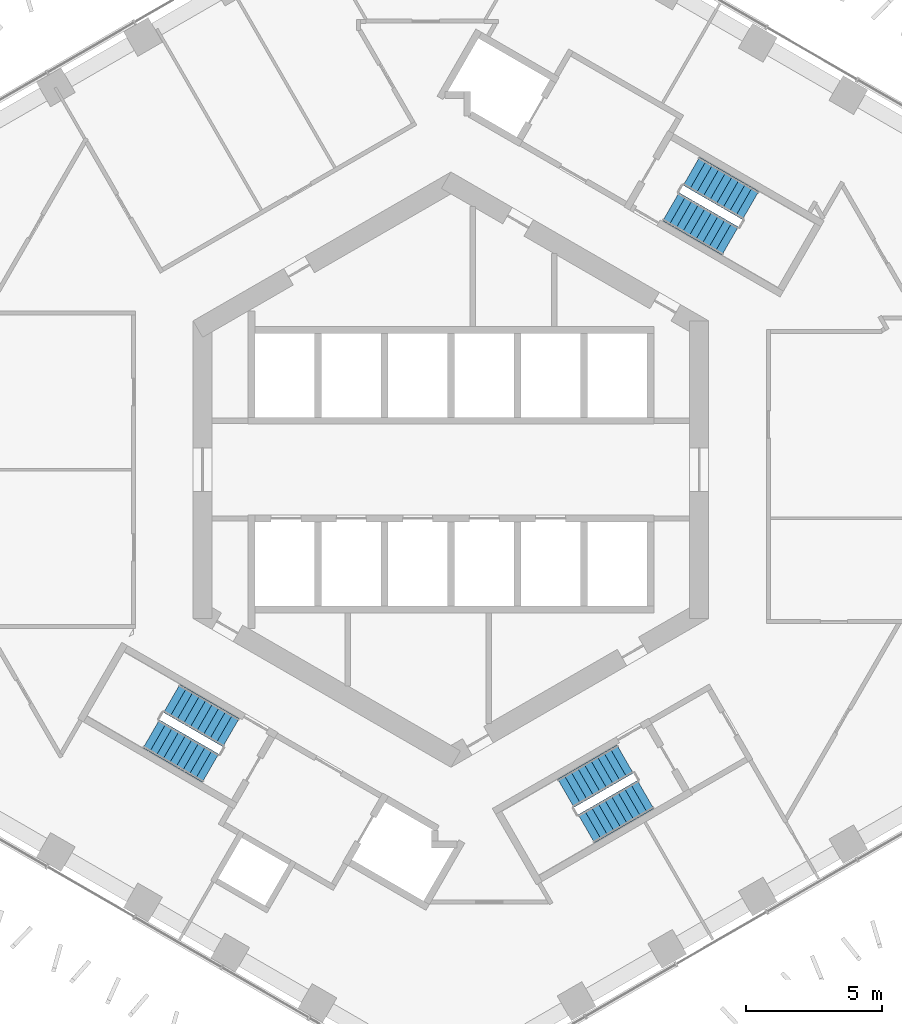
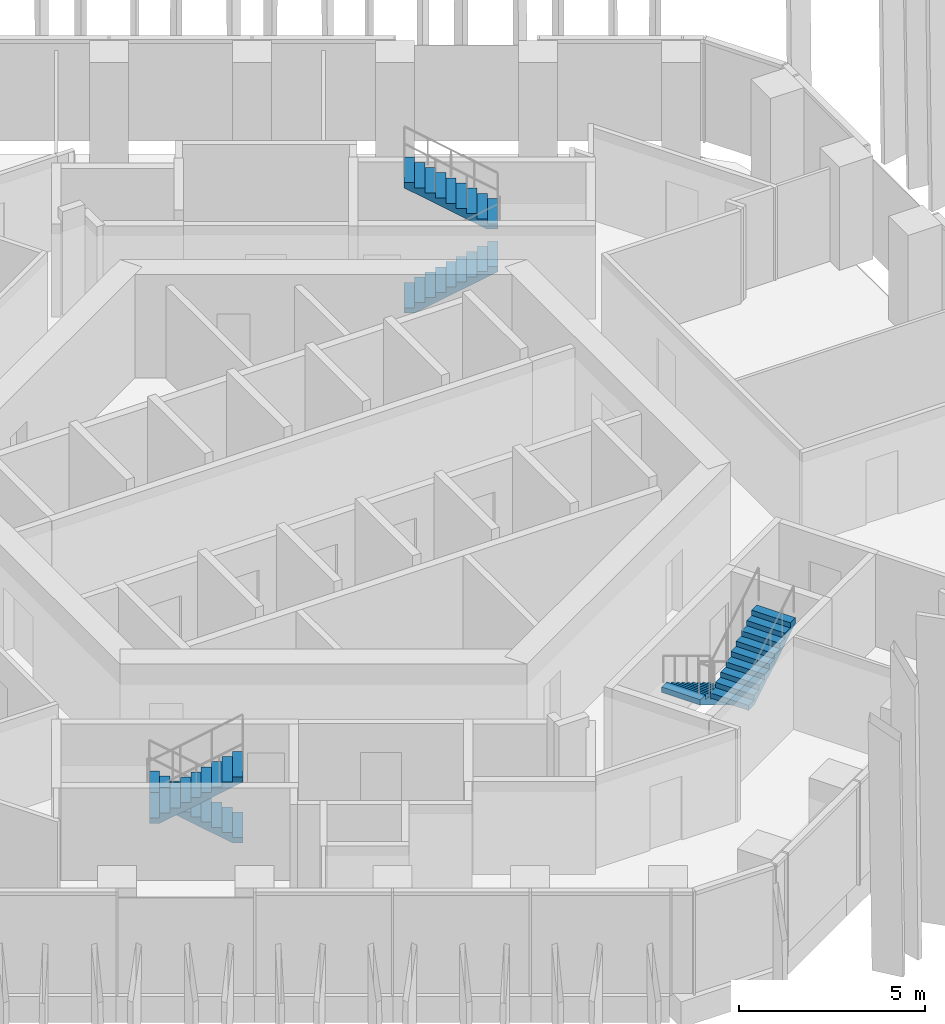
# One storey, part 15 of 19: 6 stair flights, 3 elements without a shape of their own.
"""IFC4 building model written with IfcOpenShell, lengths in metres."""

import ifcopenshell
import ifcopenshell.guid

model = None  # the IFC model being written
_history = None  # IfcOwnerHistory: only IFC2X3 demands one
_inside = {}  # id of a spatial element -> (the spatial element, [elements in it])
_under = {}  # id of a project, library or spatial element -> (it, [spatial elements below it])
_declared = {}  # id of a project -> (the project, [libraries it declares])
_typed = {}  # id of a type object -> (the type object, [elements of that type])
_made_of = {}  # id of a material, layer set ... -> (it, [elements and type objects made of it])


def new_model(schema):
    """Start an empty IFC model of exactly this schema.

    Asked for "IFC4X3", IfcOpenShell would pick the latest addendum, in which some entities
    have other attributes; the version numbers below select the first issue.
    IFC2X3 requires an IfcOwnerHistory on every rooted entity: one is made here for all.
    """
    global model, _history
    if schema == "IFC4X3":
        model = ifcopenshell.file(schema_version=(4, 3, 0, 0))
    else:
        model = ifcopenshell.file(schema=schema)
    _inside.clear()
    _under.clear()
    _declared.clear()
    _typed.clear()
    _made_of.clear()
    _history = None
    if model.schema == "IFC2X3":
        org = make("IfcOrganization", Name="unknown")
        user = make(
            "IfcPersonAndOrganization",
            ThePerson=make("IfcPerson", FamilyName="unknown"),
            TheOrganization=org,
        )
        app = make(
            "IfcApplication",
            ApplicationDeveloper=org,
            Version="unknown",
            ApplicationFullName="unknown",
            ApplicationIdentifier="unknown",
        )
        _history = make(
            "IfcOwnerHistory",
            OwningUser=user,
            OwningApplication=app,
            ChangeAction="ADDED",
            CreationDate=0,
        )
    return model


def make(cls, **values):
    """One entity of the class cls with the attributes given. An attribute that is None is left unset."""
    return model.create_entity(
        cls, **{name: value for name, value in values.items() if value is not None}
    )


def rooted(cls, **values):
    """An entity with a GlobalId (a new one), such as an element, a storey or a relation."""
    return make(cls, GlobalId=ifcopenshell.guid.new(), OwnerHistory=_history, **values)


def si_unit(unit_type, name, prefix=None):
    """IfcSIUnit, for example si_unit("LENGTHUNIT", "METRE", prefix="MILLI")."""
    return make("IfcSIUnit", UnitType=unit_type, Prefix=prefix, Name=name)


def assignment(units):
    """IfcUnitAssignment: the units of a project."""
    return None if units is None else make("IfcUnitAssignment", Units=units)


def point(xyz):
    """IfcCartesianPoint."""
    return None if xyz is None else make("IfcCartesianPoint", Coordinates=xyz)


def direction(xyz):
    """IfcDirection."""
    return None if xyz is None else make("IfcDirection", DirectionRatios=xyz)


def frame(location, z_axis=None, x_axis=None):
    """IfcAxis2Placement3D, a coordinate frame: its origin and axes. An axis left out is left unset."""
    return make(
        "IfcAxis2Placement3D",
        Location=point(location),
        Axis=direction(z_axis),
        RefDirection=direction(x_axis),
    )


def origin():
    """The frame at (0, 0, 0) with its axes left unset."""
    return frame((0.0, 0.0, 0.0))


def place(relative_to, where):
    """IfcLocalPlacement: puts the frame where relative to a parent placement (None: the world)."""
    return make(
        "IfcLocalPlacement", PlacementRelTo=relative_to, RelativePlacement=where
    )


def context(
    kind, dimensions, precision=None, world=None, true_north=None, identifier=None
):
    """IfcGeometricRepresentationContext, for example the 3D "Model" context."""
    return make(
        "IfcGeometricRepresentationContext",
        ContextIdentifier=identifier,
        ContextType=kind,
        CoordinateSpaceDimension=dimensions,
        Precision=precision,
        WorldCoordinateSystem=world,
        TrueNorth=true_north,
    )


def subcontext(parent, identifier, kind, view, scale=None):
    """IfcGeometricRepresentationSubContext, for example "Body" below "Model"."""
    return make(
        "IfcGeometricRepresentationSubContext",
        ContextIdentifier=identifier,
        ContextType=kind,
        ParentContext=parent,
        TargetScale=scale,
        TargetView=view,
    )


def project(units=None, contexts=None):
    """IfcProject with its units and contexts."""
    return rooted(
        "IfcProject",
        Name="project",
        RepresentationContexts=contexts,
        UnitsInContext=assignment(units),
    )


def spatial(cls, under=None, at=None, **own):
    """A site, building, storey or space (cls), placed at a placement, below another one or the project."""
    s = rooted(cls, ObjectPlacement=at, **own)
    if under is not None:
        _under.setdefault(under.id(), (under, []))[1].append(s)
    return s


def point_list(points):
    """IfcCartesianPointList2D or 3D."""
    cls = (
        "IfcCartesianPointList2D" if len(points[0]) == 2 else "IfcCartesianPointList3D"
    )
    return make(cls, CoordList=points)


def triangles(points, corners, closed=None, point_numbers=None):
    """IfcTriangulatedFaceSet: each triangle names its three corners, points numbered from 1."""
    return make(
        "IfcTriangulatedFaceSet",
        Coordinates=point_list(points),
        Closed=closed,
        CoordIndex=corners,
        PnIndex=point_numbers,
    )


def shape(context_of_items, identifier, shape_type, items):
    """IfcShapeRepresentation: the items that make up one representation, for example the "Body"."""
    return make(
        "IfcShapeRepresentation",
        ContextOfItems=context_of_items,
        RepresentationIdentifier=identifier,
        RepresentationType=shape_type,
        Items=items,
    )


def material(Name=None, Category=None):
    """IfcMaterial."""
    return make("IfcMaterial", Name=Name, Category=Category)


def made_of(thing, what):
    """Note that an element or type object is made of a material, layer set ...; save() writes the relation."""
    if what is not None:
        _made_of.setdefault(what.id(), (what, []))[1].append(thing)
    return thing


def type_object(cls, material=None, **own):
    """A type object (cls), such as IfcWallType, which elements share."""
    return made_of(rooted(cls, **own), material)


def element(
    cls,
    number,
    at=None,
    inside=None,
    cuts=None,
    type_object=None,
    material=None,
    context=None,
    identifier="Body",
    shape_type=None,
    held_by="IfcProductDefinitionShape",
    body=None,
    shapes=None,
    **own,
):
    """One element of the class cls, such as IfcWall. Its Tag is "e" and its number.

    at: its placement. inside: the storey or other place that contains it. cuts: it is an
    opening in that element (IfcRelVoidsElement). A single representation is given by context,
    identifier, shape_type and body (its items); several are given by shapes. held_by: the class
    of the entity that holds the representations. save() writes the other relations.
    """
    e = rooted(cls, Tag="e%d" % number, ObjectPlacement=at, **own)
    if body is not None:
        shapes = [shape(context, identifier, shape_type, body)]
    if shapes is not None:
        e.Representation = make(held_by, Representations=shapes)
    if inside is not None:
        _inside.setdefault(inside.id(), (inside, []))[1].append(e)
    if cuts is not None:
        rooted(
            "IfcRelVoidsElement", RelatingBuildingElement=cuts, RelatedOpeningElement=e
        )
    if type_object is not None:
        _typed.setdefault(type_object.id(), (type_object, []))[1].append(e)
    return made_of(e, material)


def aggregate(whole, parts):
    """IfcRelAggregates: a whole, such as a stair, and the parts it consists of."""
    return rooted("IfcRelAggregates", RelatingObject=whole, RelatedObjects=parts)


def save(model, path):
    """Write the relations noted so far, then the file.

    IfcRelAggregates (storeys below a building ...), IfcRelContainedInSpatialStructure (elements
    in a storey), IfcRelDefinesByType, IfcRelAssociatesMaterial and IfcRelDeclares: one each for
    every whole, place, type object, material and project.
    """
    for whole, parts in _under.values():
        aggregate(whole, parts)
    for where, things in _inside.values():
        rooted(
            "IfcRelContainedInSpatialStructure",
            RelatedElements=things,
            RelatingStructure=where,
        )
    for kind, things in _typed.values():
        rooted("IfcRelDefinesByType", RelatedObjects=things, RelatingType=kind)
    for what, things in _made_of.values():
        rooted("IfcRelAssociatesMaterial", RelatedObjects=things, RelatingMaterial=what)
    for by, libraries in _declared.values():
        rooted("IfcRelDeclares", RelatingContext=by, RelatedDefinitions=libraries)
    model.write(path)


model = new_model("IFC4")

# Units and contexts
model_context = context("Model", 3, precision=1e-05, world=origin(), true_north=direction((0.0, 1.0)))
body_context = subcontext(model_context, "Body", "Model", "MODEL_VIEW")
ifc_project = project(units=[si_unit("LENGTHUNIT", "METRE"), si_unit("AREAUNIT", "SQUARE_METRE"), si_unit("VOLUMEUNIT", "CUBIC_METRE"), si_unit("PLANEANGLEUNIT", "RADIAN"), si_unit("MASSUNIT", "GRAM", prefix="KILO")], contexts=[model_context])

# Site, building, storey
site_placement = place(None, origin())
site = spatial("IfcSite", under=ifc_project, at=site_placement, CompositionType="ELEMENT")
building_placement = place(site_placement, origin())
building = spatial("IfcBuilding", under=site, at=building_placement, Name="Ayvan Gate Tower", CompositionType="ELEMENT")
storey_placement = place(building_placement, frame((0.0, 0.0, 93.300048828125)))
storey = spatial("IfcBuildingStorey", under=building, at=storey_placement, Name="L24", CompositionType="ELEMENT", Elevation=93.300048828125)

# Stair, stair flights
ifc_material = material(Name="Concrete C40/50", Category="concrete")
stair_type = type_object("IfcStairType", Name="ST-EXIT", PredefinedType="HALF_TURN_STAIR", material=ifc_material)
stair_1_placement = place(storey_placement, origin())
stair_1 = element("IfcStair", 1, at=stair_1_placement, inside=storey, type_object=stair_type, Name="L24 Exit Stair S1", PredefinedType="HALF_TURN_STAIR")
stair_flight_type = type_object("IfcStairFlightType", Name="SFL-EXIT", PredefinedType="STRAIGHT", material=ifc_material)
stair_flight_1_placement = place(storey_placement, frame((8.106201171875, 9.690185546875, 0.0), z_axis=(0.0, 0.0, 1.0), x_axis=(0.866025403784, -0.5, 0.0)))
stair_flight_1 = element("IfcStairFlight", 2, at=stair_flight_1_placement, type_object=stair_flight_type, Name="STS1 flight 1", NumberOfRisers=10, NumberOfTreads=9, PredefinedType="STRAIGHT", RiserHeight=0.17, TreadLength=0.28, context=body_context, shape_type="Tessellation", body=[
    triangles([(0.288841, -0.599976, 0.0), (2.5205, -0.599976, 1.354936), (2.5205, -0.599976, 1.53), (2.24, -0.599976, 1.53), (2.24, -0.599976, 1.36), (1.96, -0.599976, 1.36), (1.96, -0.599976, 1.19), (1.68, -0.599976, 1.19), (1.68, -0.599976, 1.02), (1.4, -0.599976, 1.02), (1.4, -0.599976, 0.85), (1.12, -0.599976, 0.85), (1.12, -0.599976, 0.68), (0.84, -0.599976, 0.68), (0.84, -0.599976, 0.51), (0.56, -0.599976, 0.51), (0.56, -0.599976, 0.34), (0.28, -0.599976, 0.34), (0.28, -0.599976, 0.17), (-0.0005, -0.599976, 0.17), (-0.0005, -0.599976, 0.0), (0.288841, 0.0, 0.0), (2.5205, 0.0, 1.354936), (2.5205, 0.0, 1.53), (2.24, 0.0, 1.53), (2.24, 0.0, 1.36), (1.96, 0.0, 1.36), (1.96, 0.0, 1.19), (1.68, 0.0, 1.19), (1.68, 0.0, 1.02), (1.4, 0.0, 1.02), (1.4, 0.0, 0.85), (1.12, 0.0, 0.85), (1.12, 0.0, 0.68), (0.84, 0.0, 0.68), (0.84, 0.0, 0.51), (0.56, 0.0, 0.51), (0.56, 0.0, 0.34), (0.28, 0.0, 0.34), (0.28, 0.0, 0.17), (-0.0005, 0.0, 0.17), (-0.0005, 0.0, 0.0), (0.288841, 0.599976, 0.0), (2.5205, 0.599976, 1.354936), (2.5205, 0.599976, 1.53), (2.24, 0.599976, 1.53), (2.24, 0.599976, 1.36), (1.96, 0.599976, 1.36), (1.96, 0.599976, 1.19), (1.68, 0.599976, 1.19), (1.68, 0.599976, 1.02), (1.4, 0.599976, 1.02), (1.4, 0.599976, 0.85), (1.12, 0.599976, 0.85), (1.12, 0.599976, 0.68), (0.84, 0.599976, 0.68), (0.84, 0.599976, 0.51), (0.56, 0.599976, 0.51), (0.56, 0.599976, 0.34), (0.28, 0.599976, 0.34), (0.28, 0.599976, 0.17), (-0.0005, 0.599976, 0.17), (-0.0005, 0.599976, 0.0)], [[21, 1, 2], [63, 44, 43], [2, 3, 4], [44, 46, 45], [2, 4, 5], [44, 47, 46], [2, 5, 6], [44, 48, 47], [2, 6, 7], [44, 49, 48], [7, 8, 9], [49, 51, 50], [2, 7, 9], [44, 51, 49], [9, 10, 11], [51, 53, 52], [2, 9, 11], [44, 53, 51], [11, 12, 13], [53, 55, 54], [2, 11, 13], [44, 55, 53], [13, 14, 15], [55, 57, 56], [2, 13, 15], [44, 57, 55], [15, 16, 17], [57, 59, 58], [2, 15, 17], [44, 59, 57], [17, 18, 19], [59, 61, 60], [2, 17, 19], [44, 61, 59], [21, 2, 19], [63, 61, 44], [19, 20, 21], [61, 63, 62], [1, 22, 23], [1, 23, 2], [43, 23, 22], [43, 44, 23], [2, 23, 24], [2, 24, 3], [44, 24, 23], [44, 45, 24], [3, 24, 25], [3, 25, 4], [45, 25, 24], [45, 46, 25], [4, 25, 26], [4, 26, 5], [46, 26, 25], [46, 47, 26], [5, 26, 27], [5, 27, 6], [47, 27, 26], [47, 48, 27], [6, 27, 28], [6, 28, 7], [48, 28, 27], [48, 49, 28], [7, 28, 29], [7, 29, 8], [49, 29, 28], [49, 50, 29], [8, 29, 30], [8, 30, 9], [50, 30, 29], [50, 51, 30], [9, 30, 31], [9, 31, 10], [51, 31, 30], [51, 52, 31], [10, 31, 32], [10, 32, 11], [52, 32, 31], [52, 53, 32], [11, 32, 33], [11, 33, 12], [53, 33, 32], [53, 54, 33], [12, 33, 34], [12, 34, 13], [54, 34, 33], [54, 55, 34], [13, 34, 35], [13, 35, 14], [55, 35, 34], [55, 56, 35], [14, 35, 36], [14, 36, 15], [56, 36, 35], [56, 57, 36], [15, 36, 37], [15, 37, 16], [57, 37, 36], [57, 58, 37], [16, 37, 38], [16, 38, 17], [58, 38, 37], [58, 59, 38], [17, 38, 39], [17, 39, 18], [59, 39, 38], [59, 60, 39], [18, 39, 40], [18, 40, 19], [60, 40, 39], [60, 61, 40], [19, 40, 41], [19, 41, 20], [61, 41, 40], [61, 62, 41], [20, 41, 42], [20, 42, 21], [62, 42, 41], [62, 63, 42], [21, 42, 22], [21, 22, 1], [63, 22, 42], [63, 43, 22]], closed=True),
])
stair_flight_2_placement = place(storey_placement, frame((11.04345703125, 9.73779296875, 1.699951171875), z_axis=(0.0, 0.0, 1.0), x_axis=(-0.866025403784, 0.5, 0.0)))
stair_flight_2 = element("IfcStairFlight", 3, at=stair_flight_2_placement, type_object=stair_flight_type, Name="STS1 flight 2", NumberOfRisers=10, NumberOfTreads=9, PredefinedType="STRAIGHT", RiserHeight=0.17, TreadLength=0.28, context=body_context, shape_type="Tessellation", body=[
    triangles([(0.288841, -0.599976, 0.0), (2.5205, -0.599976, 1.354936), (2.5205, -0.599976, 1.53), (2.24, -0.599976, 1.53), (2.24, -0.599976, 1.36), (1.96, -0.599976, 1.36), (1.96, -0.599976, 1.19), (1.68, -0.599976, 1.19), (1.68, -0.599976, 1.02), (1.4, -0.599976, 1.02), (1.4, -0.599976, 0.85), (1.12, -0.599976, 0.85), (1.12, -0.599976, 0.68), (0.84, -0.599976, 0.68), (0.84, -0.599976, 0.51), (0.56, -0.599976, 0.51), (0.56, -0.599976, 0.34), (0.28, -0.599976, 0.34), (0.28, -0.599976, 0.17), (-0.0005, -0.599976, 0.17), (-0.0005, -0.599976, 0.0), (0.288841, 0.0, 0.0), (2.5205, 0.0, 1.354936), (2.5205, 0.0, 1.53), (2.24, 0.0, 1.53), (2.24, 0.0, 1.36), (1.96, 0.0, 1.36), (1.96, 0.0, 1.19), (1.68, 0.0, 1.19), (1.68, 0.0, 1.02), (1.4, 0.0, 1.02), (1.4, 0.0, 0.85), (1.12, 0.0, 0.85), (1.12, 0.0, 0.68), (0.84, 0.0, 0.68), (0.84, 0.0, 0.51), (0.56, 0.0, 0.51), (0.56, 0.0, 0.34), (0.28, 0.0, 0.34), (0.28, 0.0, 0.17), (-0.0005, 0.0, 0.17), (-0.0005, 0.0, 0.0), (0.288841, 0.599976, 0.0), (2.5205, 0.599976, 1.354936), (2.5205, 0.599976, 1.53), (2.24, 0.599976, 1.53), (2.24, 0.599976, 1.36), (1.96, 0.599976, 1.36), (1.96, 0.599976, 1.19), (1.68, 0.599976, 1.19), (1.68, 0.599976, 1.02), (1.4, 0.599976, 1.02), (1.4, 0.599976, 0.85), (1.12, 0.599976, 0.85), (1.12, 0.599976, 0.68), (0.84, 0.599976, 0.68), (0.84, 0.599976, 0.51), (0.56, 0.599976, 0.51), (0.56, 0.599976, 0.34), (0.28, 0.599976, 0.34), (0.28, 0.599976, 0.17), (-0.0005, 0.599976, 0.17), (-0.0005, 0.599976, 0.0)], [[21, 1, 2], [63, 44, 43], [2, 3, 4], [44, 46, 45], [2, 4, 5], [44, 47, 46], [2, 5, 6], [44, 48, 47], [2, 6, 7], [44, 49, 48], [7, 8, 9], [49, 51, 50], [2, 7, 9], [44, 51, 49], [9, 10, 11], [51, 53, 52], [2, 9, 11], [44, 53, 51], [11, 12, 13], [53, 55, 54], [2, 11, 13], [44, 55, 53], [13, 14, 15], [55, 57, 56], [2, 13, 15], [44, 57, 55], [15, 16, 17], [57, 59, 58], [2, 15, 17], [44, 59, 57], [17, 18, 19], [59, 61, 60], [2, 17, 19], [44, 61, 59], [21, 2, 19], [63, 61, 44], [19, 20, 21], [61, 63, 62], [1, 22, 23], [1, 23, 2], [43, 23, 22], [43, 44, 23], [2, 23, 24], [2, 24, 3], [44, 24, 23], [44, 45, 24], [3, 24, 25], [3, 25, 4], [45, 25, 24], [45, 46, 25], [4, 25, 26], [4, 26, 5], [46, 26, 25], [46, 47, 26], [5, 26, 27], [5, 27, 6], [47, 27, 26], [47, 48, 27], [6, 27, 28], [6, 28, 7], [48, 28, 27], [48, 49, 28], [7, 28, 29], [7, 29, 8], [49, 29, 28], [49, 50, 29], [8, 29, 30], [8, 30, 9], [50, 30, 29], [50, 51, 30], [9, 30, 31], [9, 31, 10], [51, 31, 30], [51, 52, 31], [10, 31, 32], [10, 32, 11], [52, 32, 31], [52, 53, 32], [11, 32, 33], [11, 33, 12], [53, 33, 32], [53, 54, 33], [12, 33, 34], [12, 34, 13], [54, 34, 33], [54, 55, 34], [13, 34, 35], [13, 35, 14], [55, 35, 34], [55, 56, 35], [14, 35, 36], [14, 36, 15], [56, 36, 35], [56, 57, 36], [15, 36, 37], [15, 37, 16], [57, 37, 36], [57, 58, 37], [16, 37, 38], [16, 38, 17], [58, 38, 37], [58, 59, 38], [17, 38, 39], [17, 39, 18], [59, 39, 38], [59, 60, 39], [18, 39, 40], [18, 40, 19], [60, 40, 39], [60, 61, 40], [19, 40, 41], [19, 41, 20], [61, 41, 40], [61, 62, 41], [20, 41, 42], [20, 42, 21], [62, 42, 41], [62, 63, 42], [21, 42, 22], [21, 22, 1], [63, 22, 42], [63, 43, 22]], closed=True),
])
aggregate(stair_1, [stair_flight_1, stair_flight_2])

stair_2_placement = place(storey_placement, origin())
stair_2 = element("IfcStair", 4, at=stair_2_placement, inside=storey, type_object=stair_type, Name="L24 Exit Stair S2", PredefinedType="HALF_TURN_STAIR")
stair_flight_3_placement = place(storey_placement, frame((-8.106201171875, -9.690185546875, 0.0), z_axis=(0.0, 0.0, 1.0), x_axis=(-0.866025403784, 0.5, 0.0)))
stair_flight_3 = element("IfcStairFlight", 5, at=stair_flight_3_placement, type_object=stair_flight_type, Name="STS2 flight 1", NumberOfRisers=10, NumberOfTreads=9, PredefinedType="STRAIGHT", RiserHeight=0.17, TreadLength=0.28, context=body_context, shape_type="Tessellation", body=[
    triangles([(0.288841, -0.599976, 0.0), (2.5205, -0.599976, 1.354936), (2.5205, -0.599976, 1.53), (2.24, -0.599976, 1.53), (2.24, -0.599976, 1.36), (1.96, -0.599976, 1.36), (1.96, -0.599976, 1.19), (1.68, -0.599976, 1.19), (1.68, -0.599976, 1.02), (1.4, -0.599976, 1.02), (1.4, -0.599976, 0.85), (1.12, -0.599976, 0.85), (1.12, -0.599976, 0.68), (0.84, -0.599976, 0.68), (0.84, -0.599976, 0.51), (0.56, -0.599976, 0.51), (0.56, -0.599976, 0.34), (0.28, -0.599976, 0.34), (0.28, -0.599976, 0.17), (-0.0005, -0.599976, 0.17), (-0.0005, -0.599976, 0.0), (0.288841, 0.0, 0.0), (2.5205, 0.0, 1.354936), (2.5205, 0.0, 1.53), (2.24, 0.0, 1.53), (2.24, 0.0, 1.36), (1.96, 0.0, 1.36), (1.96, 0.0, 1.19), (1.68, 0.0, 1.19), (1.68, 0.0, 1.02), (1.4, 0.0, 1.02), (1.4, 0.0, 0.85), (1.12, 0.0, 0.85), (1.12, 0.0, 0.68), (0.84, 0.0, 0.68), (0.84, 0.0, 0.51), (0.56, 0.0, 0.51), (0.56, 0.0, 0.34), (0.28, 0.0, 0.34), (0.28, 0.0, 0.17), (-0.0005, 0.0, 0.17), (-0.0005, 0.0, 0.0), (0.288841, 0.599976, 0.0), (2.5205, 0.599976, 1.354936), (2.5205, 0.599976, 1.53), (2.24, 0.599976, 1.53), (2.24, 0.599976, 1.36), (1.96, 0.599976, 1.36), (1.96, 0.599976, 1.19), (1.68, 0.599976, 1.19), (1.68, 0.599976, 1.02), (1.4, 0.599976, 1.02), (1.4, 0.599976, 0.85), (1.12, 0.599976, 0.85), (1.12, 0.599976, 0.68), (0.84, 0.599976, 0.68), (0.84, 0.599976, 0.51), (0.56, 0.599976, 0.51), (0.56, 0.599976, 0.34), (0.28, 0.599976, 0.34), (0.28, 0.599976, 0.17), (-0.0005, 0.599976, 0.17), (-0.0005, 0.599976, 0.0)], [[21, 1, 2], [63, 44, 43], [2, 3, 4], [44, 46, 45], [2, 4, 5], [44, 47, 46], [2, 5, 6], [44, 48, 47], [2, 6, 7], [44, 49, 48], [7, 8, 9], [49, 51, 50], [2, 7, 9], [44, 51, 49], [9, 10, 11], [51, 53, 52], [2, 9, 11], [44, 53, 51], [11, 12, 13], [53, 55, 54], [2, 11, 13], [44, 55, 53], [13, 14, 15], [55, 57, 56], [2, 13, 15], [44, 57, 55], [15, 16, 17], [57, 59, 58], [2, 15, 17], [44, 59, 57], [17, 18, 19], [59, 61, 60], [2, 17, 19], [44, 61, 59], [21, 2, 19], [63, 61, 44], [19, 20, 21], [61, 63, 62], [1, 22, 23], [1, 23, 2], [43, 23, 22], [43, 44, 23], [2, 23, 24], [2, 24, 3], [44, 24, 23], [44, 45, 24], [3, 24, 25], [3, 25, 4], [45, 25, 24], [45, 46, 25], [4, 25, 26], [4, 26, 5], [46, 26, 25], [46, 47, 26], [5, 26, 27], [5, 27, 6], [47, 27, 26], [47, 48, 27], [6, 27, 28], [6, 28, 7], [48, 28, 27], [48, 49, 28], [7, 28, 29], [7, 29, 8], [49, 29, 28], [49, 50, 29], [8, 29, 30], [8, 30, 9], [50, 30, 29], [50, 51, 30], [9, 30, 31], [9, 31, 10], [51, 31, 30], [51, 52, 31], [10, 31, 32], [10, 32, 11], [52, 32, 31], [52, 53, 32], [11, 32, 33], [11, 33, 12], [53, 33, 32], [53, 54, 33], [12, 33, 34], [12, 34, 13], [54, 34, 33], [54, 55, 34], [13, 34, 35], [13, 35, 14], [55, 35, 34], [55, 56, 35], [14, 35, 36], [14, 36, 15], [56, 36, 35], [56, 57, 36], [15, 36, 37], [15, 37, 16], [57, 37, 36], [57, 58, 37], [16, 37, 38], [16, 38, 17], [58, 38, 37], [58, 59, 38], [17, 38, 39], [17, 39, 18], [59, 39, 38], [59, 60, 39], [18, 39, 40], [18, 40, 19], [60, 40, 39], [60, 61, 40], [19, 40, 41], [19, 41, 20], [61, 41, 40], [61, 62, 41], [20, 41, 42], [20, 42, 21], [62, 42, 41], [62, 63, 42], [21, 42, 22], [21, 22, 1], [63, 22, 42], [63, 43, 22]], closed=True),
])
stair_flight_4_placement = place(storey_placement, frame((-11.04345703125, -9.73779296875, 1.699951171875), z_axis=(0.0, 0.0, 1.0), x_axis=(0.866025403784, -0.5, 0.0)))
stair_flight_4 = element("IfcStairFlight", 6, at=stair_flight_4_placement, type_object=stair_flight_type, Name="STS2 flight 2", NumberOfRisers=10, NumberOfTreads=9, PredefinedType="STRAIGHT", RiserHeight=0.17, TreadLength=0.28, context=body_context, shape_type="Tessellation", body=[
    triangles([(0.288841, -0.599976, 0.0), (2.5205, -0.599976, 1.354936), (2.5205, -0.599976, 1.53), (2.24, -0.599976, 1.53), (2.24, -0.599976, 1.36), (1.96, -0.599976, 1.36), (1.96, -0.599976, 1.19), (1.68, -0.599976, 1.19), (1.68, -0.599976, 1.02), (1.4, -0.599976, 1.02), (1.4, -0.599976, 0.85), (1.12, -0.599976, 0.85), (1.12, -0.599976, 0.68), (0.84, -0.599976, 0.68), (0.84, -0.599976, 0.51), (0.56, -0.599976, 0.51), (0.56, -0.599976, 0.34), (0.28, -0.599976, 0.34), (0.28, -0.599976, 0.17), (-0.0005, -0.599976, 0.17), (-0.0005, -0.599976, 0.0), (0.288841, 0.0, 0.0), (2.5205, 0.0, 1.354936), (2.5205, 0.0, 1.53), (2.24, 0.0, 1.53), (2.24, 0.0, 1.36), (1.96, 0.0, 1.36), (1.96, 0.0, 1.19), (1.68, 0.0, 1.19), (1.68, 0.0, 1.02), (1.4, 0.0, 1.02), (1.4, 0.0, 0.85), (1.12, 0.0, 0.85), (1.12, 0.0, 0.68), (0.84, 0.0, 0.68), (0.84, 0.0, 0.51), (0.56, 0.0, 0.51), (0.56, 0.0, 0.34), (0.28, 0.0, 0.34), (0.28, 0.0, 0.17), (-0.0005, 0.0, 0.17), (-0.0005, 0.0, 0.0), (0.288841, 0.599976, 0.0), (2.5205, 0.599976, 1.354936), (2.5205, 0.599976, 1.53), (2.24, 0.599976, 1.53), (2.24, 0.599976, 1.36), (1.96, 0.599976, 1.36), (1.96, 0.599976, 1.19), (1.68, 0.599976, 1.19), (1.68, 0.599976, 1.02), (1.4, 0.599976, 1.02), (1.4, 0.599976, 0.85), (1.12, 0.599976, 0.85), (1.12, 0.599976, 0.68), (0.84, 0.599976, 0.68), (0.84, 0.599976, 0.51), (0.56, 0.599976, 0.51), (0.56, 0.599976, 0.34), (0.28, 0.599976, 0.34), (0.28, 0.599976, 0.17), (-0.0005, 0.599976, 0.17), (-0.0005, 0.599976, 0.0)], [[21, 1, 2], [63, 44, 43], [2, 3, 4], [44, 46, 45], [2, 4, 5], [44, 47, 46], [2, 5, 6], [44, 48, 47], [2, 6, 7], [44, 49, 48], [7, 8, 9], [49, 51, 50], [2, 7, 9], [44, 51, 49], [9, 10, 11], [51, 53, 52], [2, 9, 11], [44, 53, 51], [11, 12, 13], [53, 55, 54], [2, 11, 13], [44, 55, 53], [13, 14, 15], [55, 57, 56], [2, 13, 15], [44, 57, 55], [15, 16, 17], [57, 59, 58], [2, 15, 17], [44, 59, 57], [17, 18, 19], [59, 61, 60], [2, 17, 19], [44, 61, 59], [21, 2, 19], [63, 61, 44], [19, 20, 21], [61, 63, 62], [1, 22, 23], [1, 23, 2], [43, 23, 22], [43, 44, 23], [2, 23, 24], [2, 24, 3], [44, 24, 23], [44, 45, 24], [3, 24, 25], [3, 25, 4], [45, 25, 24], [45, 46, 25], [4, 25, 26], [4, 26, 5], [46, 26, 25], [46, 47, 26], [5, 26, 27], [5, 27, 6], [47, 27, 26], [47, 48, 27], [6, 27, 28], [6, 28, 7], [48, 28, 27], [48, 49, 28], [7, 28, 29], [7, 29, 8], [49, 29, 28], [49, 50, 29], [8, 29, 30], [8, 30, 9], [50, 30, 29], [50, 51, 30], [9, 30, 31], [9, 31, 10], [51, 31, 30], [51, 52, 31], [10, 31, 32], [10, 32, 11], [52, 32, 31], [52, 53, 32], [11, 32, 33], [11, 33, 12], [53, 33, 32], [53, 54, 33], [12, 33, 34], [12, 34, 13], [54, 34, 33], [54, 55, 34], [13, 34, 35], [13, 35, 14], [55, 35, 34], [55, 56, 35], [14, 35, 36], [14, 36, 15], [56, 36, 35], [56, 57, 36], [15, 36, 37], [15, 37, 16], [57, 37, 36], [57, 58, 37], [16, 37, 38], [16, 38, 17], [58, 38, 37], [58, 59, 38], [17, 38, 39], [17, 39, 18], [59, 39, 38], [59, 60, 39], [18, 39, 40], [18, 40, 19], [60, 40, 39], [60, 61, 40], [19, 40, 41], [19, 41, 20], [61, 41, 40], [61, 62, 41], [20, 41, 42], [20, 42, 21], [62, 42, 41], [62, 63, 42], [21, 42, 22], [21, 22, 1], [63, 22, 42], [63, 43, 22]], closed=True),
])
aggregate(stair_2, [stair_flight_3, stair_flight_4])

stair_3_placement = place(storey_placement, origin())
stair_3 = element("IfcStair", 7, at=stair_3_placement, inside=storey, type_object=stair_type, Name="L24 Exit Stair S3", PredefinedType="HALF_TURN_STAIR")
stair_flight_5_placement = place(storey_placement, frame((6.417236328125, -10.665283203125, 0.0), z_axis=(0.0, 0.0, 1.0), x_axis=(-0.866025403784, -0.5, 0.0)))
stair_flight_5 = element("IfcStairFlight", 8, at=stair_flight_5_placement, type_object=stair_flight_type, Name="STS3 flight 1", NumberOfRisers=10, NumberOfTreads=9, PredefinedType="STRAIGHT", RiserHeight=0.17, TreadLength=0.28, context=body_context, shape_type="Tessellation", body=[
    triangles([(0.288841, -0.599976, 0.0), (2.5205, -0.599976, 1.354936), (2.5205, -0.599976, 1.53), (2.24, -0.599976, 1.53), (2.24, -0.599976, 1.36), (1.96, -0.599976, 1.36), (1.96, -0.599976, 1.19), (1.68, -0.599976, 1.19), (1.68, -0.599976, 1.02), (1.4, -0.599976, 1.02), (1.4, -0.599976, 0.85), (1.12, -0.599976, 0.85), (1.12, -0.599976, 0.68), (0.84, -0.599976, 0.68), (0.84, -0.599976, 0.51), (0.56, -0.599976, 0.51), (0.56, -0.599976, 0.34), (0.28, -0.599976, 0.34), (0.28, -0.599976, 0.17), (-0.0005, -0.599976, 0.17), (-0.0005, -0.599976, 0.0), (0.288841, 0.0, 0.0), (2.5205, 0.0, 1.354936), (2.5205, 0.0, 1.53), (2.24, 0.0, 1.53), (2.24, 0.0, 1.36), (1.96, 0.0, 1.36), (1.96, 0.0, 1.19), (1.68, 0.0, 1.19), (1.68, 0.0, 1.02), (1.4, 0.0, 1.02), (1.4, 0.0, 0.85), (1.12, 0.0, 0.85), (1.12, 0.0, 0.68), (0.84, 0.0, 0.68), (0.84, 0.0, 0.51), (0.56, 0.0, 0.51), (0.56, 0.0, 0.34), (0.28, 0.0, 0.34), (0.28, 0.0, 0.17), (-0.0005, 0.0, 0.17), (-0.0005, 0.0, 0.0), (0.288841, 0.599976, 0.0), (2.5205, 0.599976, 1.354936), (2.5205, 0.599976, 1.53), (2.24, 0.599976, 1.53), (2.24, 0.599976, 1.36), (1.96, 0.599976, 1.36), (1.96, 0.599976, 1.19), (1.68, 0.599976, 1.19), (1.68, 0.599976, 1.02), (1.4, 0.599976, 1.02), (1.4, 0.599976, 0.85), (1.12, 0.599976, 0.85), (1.12, 0.599976, 0.68), (0.84, 0.599976, 0.68), (0.84, 0.599976, 0.51), (0.56, 0.599976, 0.51), (0.56, 0.599976, 0.34), (0.28, 0.599976, 0.34), (0.28, 0.599976, 0.17), (-0.0005, 0.599976, 0.17), (-0.0005, 0.599976, 0.0)], [[21, 1, 2], [63, 44, 43], [2, 3, 4], [44, 46, 45], [2, 4, 5], [44, 47, 46], [2, 5, 6], [44, 48, 47], [2, 6, 7], [44, 49, 48], [7, 8, 9], [49, 51, 50], [2, 7, 9], [44, 51, 49], [9, 10, 11], [51, 53, 52], [2, 9, 11], [44, 53, 51], [11, 12, 13], [53, 55, 54], [2, 11, 13], [44, 55, 53], [13, 14, 15], [55, 57, 56], [2, 13, 15], [44, 57, 55], [15, 16, 17], [57, 59, 58], [2, 15, 17], [44, 59, 57], [17, 18, 19], [59, 61, 60], [2, 17, 19], [44, 61, 59], [21, 2, 19], [63, 61, 44], [19, 20, 21], [61, 63, 62], [1, 22, 23], [1, 23, 2], [43, 23, 22], [43, 44, 23], [2, 23, 24], [2, 24, 3], [44, 24, 23], [44, 45, 24], [3, 24, 25], [3, 25, 4], [45, 25, 24], [45, 46, 25], [4, 25, 26], [4, 26, 5], [46, 26, 25], [46, 47, 26], [5, 26, 27], [5, 27, 6], [47, 27, 26], [47, 48, 27], [6, 27, 28], [6, 28, 7], [48, 28, 27], [48, 49, 28], [7, 28, 29], [7, 29, 8], [49, 29, 28], [49, 50, 29], [8, 29, 30], [8, 30, 9], [50, 30, 29], [50, 51, 30], [9, 30, 31], [9, 31, 10], [51, 31, 30], [51, 52, 31], [10, 31, 32], [10, 32, 11], [52, 32, 31], [52, 53, 32], [11, 32, 33], [11, 33, 12], [53, 33, 32], [53, 54, 33], [12, 33, 34], [12, 34, 13], [54, 34, 33], [54, 55, 34], [13, 34, 35], [13, 35, 14], [55, 35, 34], [55, 56, 35], [14, 35, 36], [14, 36, 15], [56, 36, 35], [56, 57, 36], [15, 36, 37], [15, 37, 16], [57, 37, 36], [57, 58, 37], [16, 37, 38], [16, 38, 17], [58, 38, 37], [58, 59, 38], [17, 38, 39], [17, 39, 18], [59, 39, 38], [59, 60, 39], [18, 39, 40], [18, 40, 19], [60, 40, 39], [60, 61, 40], [19, 40, 41], [19, 41, 20], [61, 41, 40], [61, 62, 41], [20, 41, 42], [20, 42, 21], [62, 42, 41], [62, 63, 42], [21, 42, 22], [21, 22, 1], [63, 22, 42], [63, 43, 22]], closed=True),
])
stair_flight_6_placement = place(storey_placement, frame((4.989990234375, -13.23291015625, 1.699951171875), z_axis=(0.0, 0.0, 1.0), x_axis=(0.866025403784, 0.5, 0.0)))
stair_flight_6 = element("IfcStairFlight", 9, at=stair_flight_6_placement, type_object=stair_flight_type, Name="STS3 flight 2", NumberOfRisers=10, NumberOfTreads=9, PredefinedType="STRAIGHT", RiserHeight=0.17, TreadLength=0.28, context=body_context, shape_type="Tessellation", body=[
    triangles([(0.288841, -0.599976, 0.0), (2.5205, -0.599976, 1.354936), (2.5205, -0.599976, 1.53), (2.24, -0.599976, 1.53), (2.24, -0.599976, 1.36), (1.96, -0.599976, 1.36), (1.96, -0.599976, 1.19), (1.68, -0.599976, 1.19), (1.68, -0.599976, 1.02), (1.4, -0.599976, 1.02), (1.4, -0.599976, 0.85), (1.12, -0.599976, 0.85), (1.12, -0.599976, 0.68), (0.84, -0.599976, 0.68), (0.84, -0.599976, 0.51), (0.56, -0.599976, 0.51), (0.56, -0.599976, 0.34), (0.28, -0.599976, 0.34), (0.28, -0.599976, 0.17), (-0.0005, -0.599976, 0.17), (-0.0005, -0.599976, 0.0), (0.288841, 0.0, 0.0), (2.5205, 0.0, 1.354936), (2.5205, 0.0, 1.53), (2.24, 0.0, 1.53), (2.24, 0.0, 1.36), (1.96, 0.0, 1.36), (1.96, 0.0, 1.19), (1.68, 0.0, 1.19), (1.68, 0.0, 1.02), (1.4, 0.0, 1.02), (1.4, 0.0, 0.85), (1.12, 0.0, 0.85), (1.12, 0.0, 0.68), (0.84, 0.0, 0.68), (0.84, 0.0, 0.51), (0.56, 0.0, 0.51), (0.56, 0.0, 0.34), (0.28, 0.0, 0.34), (0.28, 0.0, 0.17), (-0.0005, 0.0, 0.17), (-0.0005, 0.0, 0.0), (0.288841, 0.599976, 0.0), (2.5205, 0.599976, 1.354936), (2.5205, 0.599976, 1.53), (2.24, 0.599976, 1.53), (2.24, 0.599976, 1.36), (1.96, 0.599976, 1.36), (1.96, 0.599976, 1.19), (1.68, 0.599976, 1.19), (1.68, 0.599976, 1.02), (1.4, 0.599976, 1.02), (1.4, 0.599976, 0.85), (1.12, 0.599976, 0.85), (1.12, 0.599976, 0.68), (0.84, 0.599976, 0.68), (0.84, 0.599976, 0.51), (0.56, 0.599976, 0.51), (0.56, 0.599976, 0.34), (0.28, 0.599976, 0.34), (0.28, 0.599976, 0.17), (-0.0005, 0.599976, 0.17), (-0.0005, 0.599976, 0.0)], [[21, 1, 2], [63, 44, 43], [2, 3, 4], [44, 46, 45], [2, 4, 5], [44, 47, 46], [2, 5, 6], [44, 48, 47], [2, 6, 7], [44, 49, 48], [7, 8, 9], [49, 51, 50], [2, 7, 9], [44, 51, 49], [9, 10, 11], [51, 53, 52], [2, 9, 11], [44, 53, 51], [11, 12, 13], [53, 55, 54], [2, 11, 13], [44, 55, 53], [13, 14, 15], [55, 57, 56], [2, 13, 15], [44, 57, 55], [15, 16, 17], [57, 59, 58], [2, 15, 17], [44, 59, 57], [17, 18, 19], [59, 61, 60], [2, 17, 19], [44, 61, 59], [21, 2, 19], [63, 61, 44], [19, 20, 21], [61, 63, 62], [1, 22, 23], [1, 23, 2], [43, 23, 22], [43, 44, 23], [2, 23, 24], [2, 24, 3], [44, 24, 23], [44, 45, 24], [3, 24, 25], [3, 25, 4], [45, 25, 24], [45, 46, 25], [4, 25, 26], [4, 26, 5], [46, 26, 25], [46, 47, 26], [5, 26, 27], [5, 27, 6], [47, 27, 26], [47, 48, 27], [6, 27, 28], [6, 28, 7], [48, 28, 27], [48, 49, 28], [7, 28, 29], [7, 29, 8], [49, 29, 28], [49, 50, 29], [8, 29, 30], [8, 30, 9], [50, 30, 29], [50, 51, 30], [9, 30, 31], [9, 31, 10], [51, 31, 30], [51, 52, 31], [10, 31, 32], [10, 32, 11], [52, 32, 31], [52, 53, 32], [11, 32, 33], [11, 33, 12], [53, 33, 32], [53, 54, 33], [12, 33, 34], [12, 34, 13], [54, 34, 33], [54, 55, 34], [13, 34, 35], [13, 35, 14], [55, 35, 34], [55, 56, 35], [14, 35, 36], [14, 36, 15], [56, 36, 35], [56, 57, 36], [15, 36, 37], [15, 37, 16], [57, 37, 36], [57, 58, 37], [16, 37, 38], [16, 38, 17], [58, 38, 37], [58, 59, 38], [17, 38, 39], [17, 39, 18], [59, 39, 38], [59, 60, 39], [18, 39, 40], [18, 40, 19], [60, 40, 39], [60, 61, 40], [19, 40, 41], [19, 41, 20], [61, 41, 40], [61, 62, 41], [20, 41, 42], [20, 42, 21], [62, 42, 41], [62, 63, 42], [21, 42, 22], [21, 22, 1], [63, 22, 42], [63, 43, 22]], closed=True),
])
aggregate(stair_3, [stair_flight_5, stair_flight_6])

save(model, "model.ifc")
